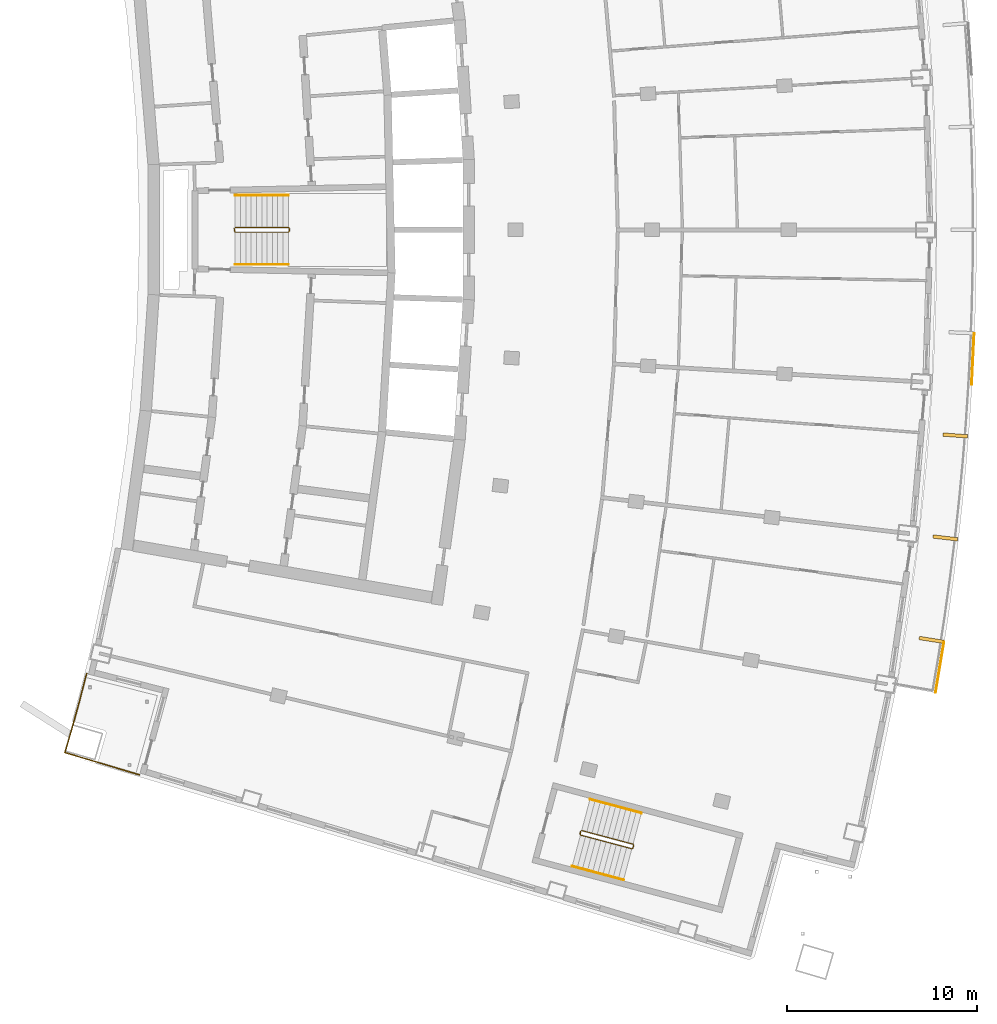
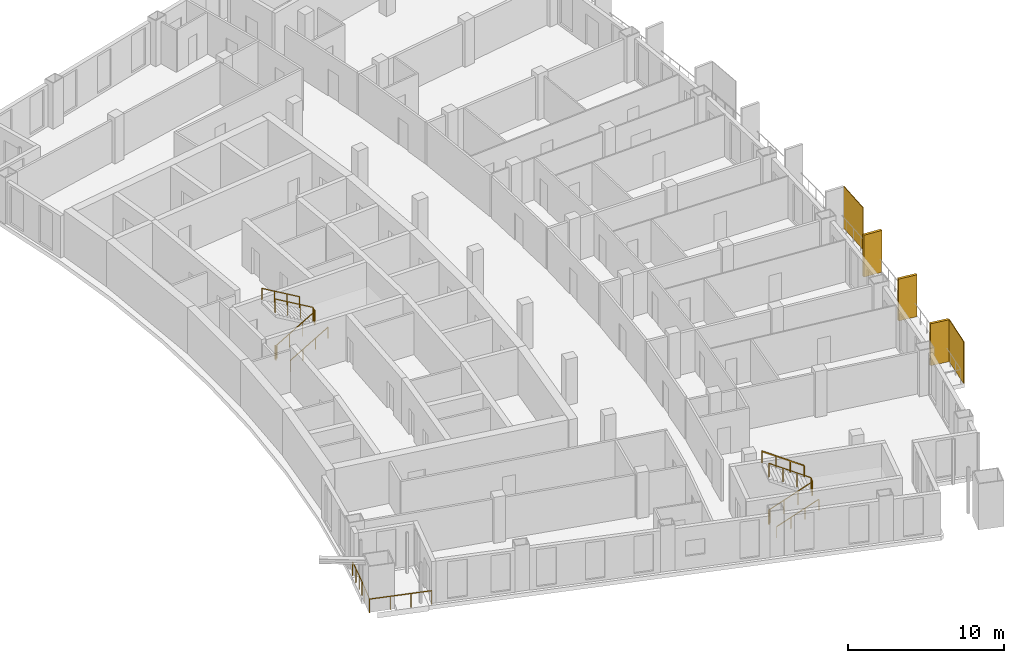
# One storey, part 16 of 18: 7 railings, 5 shading devices.
"""IFC4 building model written with IfcOpenShell, lengths in metres."""

from ifc_helpers import new_model, si_unit, direction, frame, origin, origin_with_axes, origin_2d, place, context, subcontext, project, spatial, rectangle, extrude, material, layer, layer_set, type_object, element, save


model = new_model("IFC4")

# Units and contexts
model_context = context("Model", 3, precision=1e-05, world=origin(), true_north=direction((0.0, 1.0)))
body_context = subcontext(model_context, "Body", "Model", "MODEL_VIEW")
ifc_project = project(units=[si_unit("LENGTHUNIT", "METRE"), si_unit("AREAUNIT", "SQUARE_METRE"), si_unit("VOLUMEUNIT", "CUBIC_METRE"), si_unit("PLANEANGLEUNIT", "RADIAN"), si_unit("MASSUNIT", "GRAM", prefix="KILO")], contexts=[model_context])

# Site, building, storey
site_placement = place(None, origin())
site = spatial("IfcSite", under=ifc_project, at=site_placement, CompositionType="ELEMENT")
building_placement = place(site_placement, origin())
building = spatial("IfcBuilding", under=site, at=building_placement, Name="Alderwake Tower", CompositionType="ELEMENT")
storey_placement = place(building_placement, frame((0.0, 0.0, 225.199951171875)))
storey = spatial("IfcBuildingStorey", under=building, at=storey_placement, Name="L56", CompositionType="ELEMENT", Elevation=225.199951171875)

# Railing
ifc_material_1 = material(Name="Stainless steel 316 rail and posts", Category="steel")
railing_type_1 = type_object("IfcRailingType", Name="Balcony guard 1100", PredefinedType="GUARDRAIL", material=ifc_material_1)
railing_1_placement = place(storey_placement, frame((13.210693359375, 37.612548828125, 0.0)))
element("IfcRailing", 1, at=railing_1_placement, inside=storey, type_object=railing_type_1, Name="Guard terrace RS", PredefinedType="GUARDRAIL", context=body_context, shape_type="SweptSolid", body=[
    extrude(rectangle(XDim=0.048095703125, YDim=0.048095703125, at=origin_2d()), frame((0.0, 0.0, 1.076171875), z_axis=(-0.251385381433, -0.967887075026, 0.0), x_axis=(0.967887075026, -0.251385381433, 0.0)), (0.0, 0.0, 1.0), 1.6015625),
    extrude(rectangle(XDim=0.048095703125, YDim=0.048095703125, at=origin_2d()), frame((-0.402587890625, -1.550048828125, 1.076171875), z_axis=(-0.266520638672, -0.963829211615, 0.0), x_axis=(0.963829211615, -0.266520638672, 0.0)), (0.0, 0.0, 1.0), 1.401611328125),
    extrude(rectangle(XDim=0.048095703125, YDim=0.048095703125, at=origin_2d()), frame((-0.776123046875, -2.90087890625, 1.076171875), z_axis=(-0.280093650878, -0.959972680204, 0.0), x_axis=(0.959972680204, -0.280093650878, 0.0)), (0.0, 0.0, 1.0), 1.30126953125),
    extrude(rectangle(XDim=0.048095703125, YDim=0.048095703125, at=origin_2d()), frame((-1.140625, -4.150146484375, 1.076171875), z_axis=(0.958066871889, -0.286544706789, 0.0), x_axis=(0.286544706789, 0.958066871889, 0.0)), (0.0, 0.0, 1.0), 4.099853515625),
    extrude(rectangle(XDim=0.0419921875, YDim=0.0419921875, at=origin_2d()), frame((0.0, 0.0, 0.0), z_axis=(0.0, 0.0, 1.0), x_axis=(-0.251385381433, -0.967887075026, 0.0)), (0.0, 0.0, 1.0), 1.052001953125),
    extrude(rectangle(XDim=0.0419921875, YDim=0.0419921875, at=origin_2d()), frame((-0.201171875, -0.77490234375, 0.0), z_axis=(0.0, 0.0, 1.0), x_axis=(-0.251385381433, -0.967887075026, 0.0)), (0.0, 0.0, 1.0), 1.052001953125),
    extrude(rectangle(XDim=0.0419921875, YDim=0.0419921875, at=origin_2d()), frame((-0.402587890625, -1.550048828125, 0.0), z_axis=(0.0, 0.0, 1.0), x_axis=(-0.266520638672, -0.963829211615, 0.0)), (0.0, 0.0, 1.0), 1.052001953125),
    extrude(rectangle(XDim=0.0419921875, YDim=0.0419921875, at=origin_2d()), frame((-0.58935546875, -2.2255859375, 0.0), z_axis=(0.0, 0.0, 1.0), x_axis=(-0.266520638672, -0.963829211615, 0.0)), (0.0, 0.0, 1.0), 1.052001953125),
    extrude(rectangle(XDim=0.0419921875, YDim=0.0419921875, at=origin_2d()), frame((-0.776123046875, -2.90087890625, 0.0), z_axis=(0.0, 0.0, 1.0), x_axis=(-0.280093650878, -0.959972680204, 0.0)), (0.0, 0.0, 1.0), 1.052001953125),
    extrude(rectangle(XDim=0.0419921875, YDim=0.0419921875, at=origin_2d()), frame((-1.140625, -4.150146484375, 0.0), z_axis=(0.0, 0.0, 1.0), x_axis=(0.958066871889, -0.286544706789, 0.0)), (0.0, 0.0, 1.0), 1.052001953125),
    extrude(rectangle(XDim=0.0419921875, YDim=0.0419921875, at=origin_2d()), frame((0.168701171875, -4.541748046875, 0.0), z_axis=(0.0, 0.0, 1.0), x_axis=(0.958066871889, -0.286544706789, 0.0)), (0.0, 0.0, 1.0), 1.052001953125),
    extrude(rectangle(XDim=0.0419921875, YDim=0.0419921875, at=origin_2d()), frame((1.47802734375, -4.933349609375, 0.0), z_axis=(0.0, 0.0, 1.0), x_axis=(0.958066871889, -0.286544706789, 0.0)), (0.0, 0.0, 1.0), 1.052001953125),
    extrude(rectangle(XDim=0.0419921875, YDim=0.0419921875, at=origin_2d()), frame((2.787353515625, -5.324951171875, 0.0), z_axis=(0.0, 0.0, 1.0), x_axis=(0.958066871889, -0.286544706789, 0.0)), (0.0, 0.0, 1.0), 1.052001953125),
])

# Shading devices
ifc_material_2 = material(Name="Bronze anodised aluminium", Category="aluminium")
ifc_layer_1 = layer(ifc_material_2, 0.179931640625)
ifc_layer_set_1 = layer_set([ifc_layer_1], Name="Facade fin 1300")
shading_device_type_1 = type_object("IfcShadingDeviceType", Name="Facade fin 1300", PredefinedType="USERDEFINED", material=ifc_layer_set_1)
for number, where, z_axis, x_axis, name in (
    (2, (57.7158203125, 39.396728515625, 0.0), (0.0, 0.0, 1.0), (0.987918787879, -0.154972476771, 0.0), "Fin"),
    (3, (58.451904296875, 44.768798828125, 0.0), (0.0, 0.0, 1.0), (0.993198315083, -0.116434990084, 0.0), "Fin"),
    (4, (58.978271484375, 50.16552734375, 0.0), (0.0, 0.0, 1.0), (0.996975122026, -0.077721335943, 0.0), "Fin"),
):
    element("IfcShadingDevice", number, at=place(storey_placement, frame(where, z_axis=z_axis, x_axis=x_axis)), inside=storey, type_object=shading_device_type_1, Name=name, ObjectType="FIN", PredefinedType="USERDEFINED", context=body_context, shape_type="SweptSolid", body=[
        extrude(rectangle(XDim=1.300048828125, YDim=0.179931640625, at=origin_2d()), origin(), (0.0, 0.0, 1.0), 3.280029296875),
    ])
ifc_material_3 = material(Name="Perforated bronze anodised aluminium", Category="aluminium")
ifc_layer_2 = layer(ifc_material_3, 0.050048828125)
ifc_layer_set_2 = layer_set([ifc_layer_2], Name="Perforated screen panel")
shading_device_type_2 = type_object("IfcShadingDeviceType", Name="Perforated screen panel", PredefinedType="USERDEFINED", material=ifc_layer_set_2)
for number, where, z_axis, x_axis, name in (
    (5, (58.1591796875, 37.951904296875, 0.0), (0.0, 0.0, 1.0), (0.986369013299, -0.164548380739, 0.0), "Screen panel"),
    (6, (59.903076171875, 54.1953125, 0.0), (0.0, 0.0, 1.0), (0.998819231138, -0.048581308217, 0.0), "Screen panel"),
):
    element("IfcShadingDevice", number, at=place(storey_placement, frame(where, z_axis=z_axis, x_axis=x_axis)), inside=storey, type_object=shading_device_type_2, Name=name, ObjectType="SCREEN", PredefinedType="USERDEFINED", context=body_context, shape_type="SweptSolid", body=[
        extrude(rectangle(XDim=0.050048828125, YDim=2.71728515625, at=origin_2d()), origin(), (0.0, 0.0, 1.0), 3.280029296875),
    ])

# Railings
ifc_material_4 = material(Name="Stainless steel guard", Category="steel")
railing_type_2 = type_object("IfcRailingType", Name="Stair guard 1100", PredefinedType="GUARDRAIL", material=ifc_material_4)
railing_2_placement = place(storey_placement, frame((20.989990234375, 60.925048828125, 0.0)))
element("IfcRailing", 7, at=railing_2_placement, inside=storey, type_object=railing_type_2, Name="L56 ST-B stair guard 1", PredefinedType="GUARDRAIL", context=body_context, shape_type="SweptSolid", body=[
    extrude(rectangle(XDim=0.048095703125, YDim=0.048095703125, at=origin_2d()), frame((0.0, 0.0, 1.076171875), z_axis=(0.0, 1.0, 0.0), x_axis=(-1.0, 0.0, 0.0)), (0.0, 0.0, 1.0), 0.14990234375),
    extrude(rectangle(XDim=0.048095703125, YDim=0.048095703125, at=origin_2d()), frame((0.0, 0.14990234375, 1.076171875), z_axis=(0.190199549216, -0.759870394187, 0.621627795), x_axis=(0.970072785993, 0.242814311512, 0.0)), (0.0, 0.0, 1.0), 0.26318359375),
    extrude(rectangle(XDim=0.048095703125, YDim=0.048095703125, at=origin_2d()), frame((0.050048828125, -0.050048828125, 1.23974609375), z_axis=(0.863360870873, 0.0, 0.504586966384), x_axis=(0.0, 1.0, 0.0)), (0.0, 0.0, 1.0), 3.2431640625),
    extrude(rectangle(XDim=0.048095703125, YDim=0.048095703125, at=origin_2d()), frame((2.85009765625, -0.050048828125, 2.8759765625), z_axis=(0.705375805398, 0.708833529934, 0.0), x_axis=(-0.708833529934, 0.705375805398, 0.0)), (0.0, 0.0, 1.0), 0.070556640625),
    extrude(rectangle(XDim=0.048095703125, YDim=0.048095703125, at=origin_2d()), frame((2.89990234375, 0.0, 2.8759765625), z_axis=(0.0, 1.0, 0.0), x_axis=(-1.0, 0.0, 0.0)), (0.0, 0.0, 1.0), 0.14990234375),
    extrude(rectangle(XDim=0.048095703125, YDim=0.048095703125, at=origin_2d()), frame((2.89990234375, 0.14990234375, 2.8759765625), z_axis=(-0.279546231943, 0.280916556609, 0.91811752648), x_axis=(-0.708833529934, -0.705375805398, 0.0)), (0.0, 0.0, 1.0), 0.17822265625),
    extrude(rectangle(XDim=0.048095703125, YDim=0.048095703125, at=origin_2d()), frame((2.85009765625, 0.199951171875, 3.03955078125), z_axis=(-0.863360870873, 0.0, 0.504586966384), x_axis=(0.0, -1.0, 0.0)), (0.0, 0.0, 1.0), 3.2431640625),
    extrude(rectangle(XDim=0.0419921875, YDim=0.0419921875, at=origin_2d()), frame((0.0, 0.0, 0.0), z_axis=(0.0, 0.0, 1.0), x_axis=(0.0, 1.0, 0.0)), (0.0, 0.0, 1.0), 1.052001953125),
    extrude(rectangle(XDim=0.0419921875, YDim=0.0419921875, at=origin_2d()), frame((0.0, 0.14990234375, 0.0), z_axis=(0.0, 0.0, 1.0), x_axis=(0.242814311512, -0.970072785993, 0.0)), (0.0, 0.0, 1.0), 1.052001953125),
    extrude(rectangle(XDim=0.0419921875, YDim=0.0419921875, at=origin_2d()), frame((0.050048828125, -0.050048828125, 0.16357421875), z_axis=(0.0, 0.0, 1.0), x_axis=(1.0, 0.0, 0.0)), (0.0, 0.0, 1.0), 1.052001953125),
    extrude(rectangle(XDim=0.0419921875, YDim=0.0419921875, at=origin_2d()), frame((0.9833984375, -0.050048828125, 0.708984375), z_axis=(0.0, 0.0, 1.0), x_axis=(1.0, 0.0, 0.0)), (0.0, 0.0, 1.0), 1.052001953125),
    extrude(rectangle(XDim=0.0419921875, YDim=0.0419921875, at=origin_2d()), frame((1.916748046875, -0.050048828125, 1.254638671875), z_axis=(0.0, 0.0, 1.0), x_axis=(1.0, 0.0, 0.0)), (0.0, 0.0, 1.0), 1.052001953125),
    extrude(rectangle(XDim=0.0419921875, YDim=0.0419921875, at=origin_2d()), frame((2.85009765625, -0.050048828125, 1.800048828125), z_axis=(0.0, 0.0, 1.0), x_axis=(0.705375805398, 0.708833529934, 0.0)), (0.0, 0.0, 1.0), 1.052001953125),
    extrude(rectangle(XDim=0.0419921875, YDim=0.0419921875, at=origin_2d()), frame((2.89990234375, 0.0, 1.800048828125), z_axis=(0.0, 0.0, 1.0), x_axis=(0.0, 1.0, 0.0)), (0.0, 0.0, 1.0), 1.052001953125),
    extrude(rectangle(XDim=0.0419921875, YDim=0.0419921875, at=origin_2d()), frame((2.89990234375, 0.14990234375, 1.800048828125), z_axis=(0.0, 0.0, 1.0), x_axis=(-0.705375805398, 0.708833529934, 0.0)), (0.0, 0.0, 1.0), 1.052001953125),
    extrude(rectangle(XDim=0.0419921875, YDim=0.0419921875, at=origin_2d()), frame((2.85009765625, 0.199951171875, 1.963623046875), z_axis=(0.0, 0.0, 1.0), x_axis=(-1.0, 0.0, 0.0)), (0.0, 0.0, 1.0), 1.052001953125),
    extrude(rectangle(XDim=0.0419921875, YDim=0.0419921875, at=origin_2d()), frame((1.916748046875, 0.199951171875, 2.509033203125), z_axis=(0.0, 0.0, 1.0), x_axis=(-1.0, 0.0, 0.0)), (0.0, 0.0, 1.0), 1.052001953125),
    extrude(rectangle(XDim=0.0419921875, YDim=0.0419921875, at=origin_2d()), frame((0.9833984375, 0.199951171875, 3.0546875), z_axis=(0.0, 0.0, 1.0), x_axis=(-1.0, 0.0, 0.0)), (0.0, 0.0, 1.0), 1.052001953125),
    extrude(rectangle(XDim=0.0419921875, YDim=0.0419921875, at=origin_2d()), frame((0.050048828125, 0.199951171875, 3.60009765625), z_axis=(0.0, 0.0, 1.0), x_axis=(-1.0, 0.0, 0.0)), (0.0, 0.0, 1.0), 1.052001953125),
])
railing_3_placement = place(storey_placement, frame((39.1943359375, 29.17431640625, 0.0)))
element("IfcRailing", 8, at=railing_3_placement, inside=storey, type_object=railing_type_2, Name="L56 ST-C stair guard 1", PredefinedType="GUARDRAIL", context=body_context, shape_type="SweptSolid", body=[
    extrude(rectangle(XDim=0.048095703125, YDim=0.048095703125, at=origin_2d()), frame((0.0, 0.0, 1.076171875), z_axis=(0.257459803502, 0.966289009345, 0.0), x_axis=(-0.966289009345, 0.257459803502, 0.0)), (0.0, 0.0, 1.0), 0.14990234375),
    extrude(rectangle(XDim=0.048095703125, YDim=0.048095703125, at=origin_2d()), frame((0.03857421875, 0.144775390625, 1.076171875), z_axis=(-0.012062893862, -0.783160186125, 0.621702991355), x_axis=(0.999881397308, -0.015401016783, 0.0)), (0.0, 0.0, 1.0), 0.26318359375),
    extrude(rectangle(XDim=0.048095703125, YDim=0.048095703125, at=origin_2d()), frame((0.035400390625, -0.061279296875, 1.23974609375), z_axis=(0.834281824786, -0.222214197128, 0.504573768072), x_axis=(0.257380452725, 0.966310148221, 0.0)), (0.0, 0.0, 1.0), 3.2431640625),
    extrude(rectangle(XDim=0.048095703125, YDim=0.048095703125, at=origin_2d()), frame((2.7412109375, -0.781982421875, 2.8759765625), z_axis=(0.865031189262, 0.501718089772, 0.0), x_axis=(-0.501718089772, 0.865031189262, 0.0)), (0.0, 0.0, 1.0), 0.070556640625),
    extrude(rectangle(XDim=0.048095703125, YDim=0.048095703125, at=origin_2d()), frame((2.80224609375, -0.74658203125, 2.8759765625), z_axis=(0.257055032184, 0.966396766566, 0.0), x_axis=(-0.966396766566, 0.257055032184, 0.0)), (0.0, 0.0, 1.0), 0.150146484375),
    extrude(rectangle(XDim=0.048095703125, YDim=0.048095703125, at=origin_2d()), frame((2.8408203125, -0.6015625, 2.8759765625), z_axis=(-0.198625291617, 0.343827228937, 0.91778583023), x_axis=(-0.865898279276, -0.500220121494, 0.0)), (0.0, 0.0, 1.0), 0.17822265625),
    extrude(rectangle(XDim=0.048095703125, YDim=0.048095703125, at=origin_2d()), frame((2.805419921875, -0.540283203125, 3.03955078125), z_axis=(-0.834258940753, 0.22222815314, 0.504605457487), x_axis=(-0.257402139082, -0.966304371715, 0.0)), (0.0, 0.0, 1.0), 3.2431640625),
    extrude(rectangle(XDim=0.0419921875, YDim=0.0419921875, at=origin_2d()), frame((0.0, 0.0, 0.0), z_axis=(0.0, 0.0, 1.0), x_axis=(0.257459803502, 0.966289009345, 0.0)), (0.0, 0.0, 1.0), 1.052001953125),
    extrude(rectangle(XDim=0.0419921875, YDim=0.0419921875, at=origin_2d()), frame((0.03857421875, 0.144775390625, 0.0), z_axis=(0.0, 0.0, 1.0), x_axis=(-0.015401016783, -0.999881397308, 0.0)), (0.0, 0.0, 1.0), 1.052001953125),
    extrude(rectangle(XDim=0.0419921875, YDim=0.0419921875, at=origin_2d()), frame((0.035400390625, -0.061279296875, 0.16357421875), z_axis=(0.0, 0.0, 1.0), x_axis=(0.966310148221, -0.257380452725, 0.0)), (0.0, 0.0, 1.0), 1.052001953125),
    extrude(rectangle(XDim=0.0419921875, YDim=0.0419921875, at=origin_2d()), frame((0.937255859375, -0.301513671875, 0.708984375), z_axis=(0.0, 0.0, 1.0), x_axis=(0.966310148221, -0.257380452725, 0.0)), (0.0, 0.0, 1.0), 1.052001953125),
    extrude(rectangle(XDim=0.0419921875, YDim=0.0419921875, at=origin_2d()), frame((1.83935546875, -0.541748046875, 1.254638671875), z_axis=(0.0, 0.0, 1.0), x_axis=(0.966310148221, -0.257380452725, 0.0)), (0.0, 0.0, 1.0), 1.052001953125),
    extrude(rectangle(XDim=0.0419921875, YDim=0.0419921875, at=origin_2d()), frame((2.7412109375, -0.781982421875, 1.800048828125), z_axis=(0.0, 0.0, 1.0), x_axis=(0.865031189262, 0.501718089772, 0.0)), (0.0, 0.0, 1.0), 1.052001953125),
    extrude(rectangle(XDim=0.0419921875, YDim=0.0419921875, at=origin_2d()), frame((2.80224609375, -0.74658203125, 1.800048828125), z_axis=(0.0, 0.0, 1.0), x_axis=(0.257055032184, 0.966396766566, 0.0)), (0.0, 0.0, 1.0), 1.052001953125),
    extrude(rectangle(XDim=0.0419921875, YDim=0.0419921875, at=origin_2d()), frame((2.8408203125, -0.6015625, 1.800048828125), z_axis=(0.0, 0.0, 1.0), x_axis=(-0.500220121494, 0.865898279276, 0.0)), (0.0, 0.0, 1.0), 1.052001953125),
    extrude(rectangle(XDim=0.0419921875, YDim=0.0419921875, at=origin_2d()), frame((2.805419921875, -0.540283203125, 1.963623046875), z_axis=(0.0, 0.0, 1.0), x_axis=(-0.966304371715, 0.257402139082, 0.0)), (0.0, 0.0, 1.0), 1.052001953125),
    extrude(rectangle(XDim=0.0419921875, YDim=0.0419921875, at=origin_2d()), frame((1.903564453125, -0.300048828125, 2.509033203125), z_axis=(0.0, 0.0, 1.0), x_axis=(-0.966304371715, 0.257402139082, 0.0)), (0.0, 0.0, 1.0), 1.052001953125),
    extrude(rectangle(XDim=0.0419921875, YDim=0.0419921875, at=origin_2d()), frame((1.001708984375, -0.059814453125, 3.0546875), z_axis=(0.0, 0.0, 1.0), x_axis=(-0.966304371715, 0.257402139082, 0.0)), (0.0, 0.0, 1.0), 1.052001953125),
    extrude(rectangle(XDim=0.0419921875, YDim=0.0419921875, at=origin_2d()), frame((0.099853515625, 0.180419921875, 3.60009765625), z_axis=(0.0, 0.0, 1.0), x_axis=(-0.966304371715, 0.257402139082, 0.0)), (0.0, 0.0, 1.0), 1.052001953125),
])
ifc_material_5 = material(Name="Stainless steel handrail", Category="steel")
railing_type_3 = type_object("IfcRailingType", Name="Stair handrail 900", PredefinedType="HANDRAIL", material=ifc_material_5)
railing_4_placement = place(storey_placement, frame((21.0400390625, 59.175048828125, 0.16357421875)))
element("IfcRailing", 9, at=railing_4_placement, inside=storey, type_object=railing_type_3, Name="L56 ST-B stair handrail 1", PredefinedType="HANDRAIL", context=body_context, shape_type="SweptSolid", body=[
    extrude(rectangle(XDim=0.048095703125, YDim=0.048095703125, at=origin_2d()), frame((0.0, 0.0, 0.8759765625), z_axis=(0.863360870873, 0.0, 0.504586966384), x_axis=(0.0, 1.0, 0.0)), (0.0, 0.0, 1.0), 3.2431640625),
    extrude(rectangle(XDim=0.0419921875, YDim=0.0419921875, at=origin_2d()), origin_with_axes(), (0.0, 0.0, 1.0), 0.851806640625),
    extrude(rectangle(XDim=0.0419921875, YDim=0.0419921875, at=origin_2d()), frame((0.933349609375, 0.0, 0.54541015625), z_axis=(0.0, 0.0, 1.0), x_axis=(1.0, 0.0, 0.0)), (0.0, 0.0, 1.0), 0.851806640625),
    extrude(rectangle(XDim=0.0419921875, YDim=0.0419921875, at=origin_2d()), frame((1.86669921875, 0.0, 1.091064453125), z_axis=(0.0, 0.0, 1.0), x_axis=(1.0, 0.0, 0.0)), (0.0, 0.0, 1.0), 0.851806640625),
    extrude(rectangle(XDim=0.0419921875, YDim=0.0419921875, at=origin_2d()), frame((2.800048828125, 0.0, 1.636474609375), z_axis=(0.0, 0.0, 1.0), x_axis=(1.0, 0.0, 0.0)), (0.0, 0.0, 1.0), 0.851806640625),
])
railing_5_placement = place(storey_placement, frame((23.840087890625, 62.824951171875, 1.963623046875)))
element("IfcRailing", 10, at=railing_5_placement, inside=storey, type_object=railing_type_3, Name="L56 ST-B stair handrail 2", PredefinedType="HANDRAIL", context=body_context, shape_type="SweptSolid", body=[
    extrude(rectangle(XDim=0.048095703125, YDim=0.048095703125, at=origin_2d()), frame((0.0, 0.0, 0.8759765625), z_axis=(-0.863360870873, 0.0, 0.504586966384), x_axis=(0.0, -1.0, 0.0)), (0.0, 0.0, 1.0), 3.2431640625),
    extrude(rectangle(XDim=0.0419921875, YDim=0.0419921875, at=origin_2d()), frame((0.0, 0.0, 0.0), z_axis=(0.0, 0.0, 1.0), x_axis=(-1.0, 0.0, 0.0)), (0.0, 0.0, 1.0), 0.851806640625),
    extrude(rectangle(XDim=0.0419921875, YDim=0.0419921875, at=origin_2d()), frame((-0.933349609375, 0.0, 0.54541015625), z_axis=(0.0, 0.0, 1.0), x_axis=(-1.0, 0.0, 0.0)), (0.0, 0.0, 1.0), 0.851806640625),
    extrude(rectangle(XDim=0.0419921875, YDim=0.0419921875, at=origin_2d()), frame((-1.86669921875, 0.0, 1.091064453125), z_axis=(0.0, 0.0, 1.0), x_axis=(-1.0, 0.0, 0.0)), (0.0, 0.0, 1.0), 0.851806640625),
    extrude(rectangle(XDim=0.0419921875, YDim=0.0419921875, at=origin_2d()), frame((-2.800048828125, 0.0, 1.636474609375), z_axis=(0.0, 0.0, 1.0), x_axis=(-1.0, 0.0, 0.0)), (0.0, 0.0, 1.0), 0.851806640625),
])
railing_6_placement = place(storey_placement, frame((38.792236328125, 27.47021484375, 0.16357421875)))
element("IfcRailing", 11, at=railing_6_placement, inside=storey, type_object=railing_type_3, Name="L56 ST-C stair handrail 1", PredefinedType="HANDRAIL", context=body_context, shape_type="SweptSolid", body=[
    extrude(rectangle(XDim=0.048095703125, YDim=0.048095703125, at=origin_2d()), frame((0.0, 0.0, 0.8759765625), z_axis=(0.834272895437, -0.222156588561, 0.504613898043), x_axis=(0.25732071773, 0.966326056891, 0.0)), (0.0, 0.0, 1.0), 3.242919921875),
    extrude(rectangle(XDim=0.0419921875, YDim=0.0419921875, at=origin_2d()), frame((0.0, 0.0, 0.0), z_axis=(0.0, 0.0, 1.0), x_axis=(0.966326056891, -0.25732071773, 0.0)), (0.0, 0.0, 1.0), 0.851806640625),
    extrude(rectangle(XDim=0.0419921875, YDim=0.0419921875, at=origin_2d()), frame((0.90185546875, -0.240234375, 0.54541015625), z_axis=(0.0, 0.0, 1.0), x_axis=(0.966326056891, -0.25732071773, 0.0)), (0.0, 0.0, 1.0), 0.851806640625),
    extrude(rectangle(XDim=0.0419921875, YDim=0.0419921875, at=origin_2d()), frame((1.8037109375, -0.480224609375, 1.091064453125), z_axis=(0.0, 0.0, 1.0), x_axis=(0.966326056891, -0.25732071773, 0.0)), (0.0, 0.0, 1.0), 0.851806640625),
    extrude(rectangle(XDim=0.0419921875, YDim=0.0419921875, at=origin_2d()), frame((2.70556640625, -0.720458984375, 1.636474609375), z_axis=(0.0, 0.0, 1.0), x_axis=(0.966326056891, -0.25732071773, 0.0)), (0.0, 0.0, 1.0), 0.851806640625),
])
railing_7_placement = place(storey_placement, frame((42.437255859375, 30.276611328125, 1.963623046875)))
element("IfcRailing", 12, at=railing_7_placement, inside=storey, type_object=railing_type_3, Name="L56 ST-C stair handrail 2", PredefinedType="HANDRAIL", context=body_context, shape_type="SweptSolid", body=[
    extrude(rectangle(XDim=0.048095703125, YDim=0.048095703125, at=origin_2d()), frame((0.0, 0.0, 0.8759765625), z_axis=(-0.834258940753, 0.22222815314, 0.504605457487), x_axis=(-0.257402139082, -0.966304371715, 0.0)), (0.0, 0.0, 1.0), 3.2431640625),
    extrude(rectangle(XDim=0.0419921875, YDim=0.0419921875, at=origin_2d()), frame((0.0, 0.0, 0.0), z_axis=(0.0, 0.0, 1.0), x_axis=(-0.966304371715, 0.257402139082, 0.0)), (0.0, 0.0, 1.0), 0.851806640625),
    extrude(rectangle(XDim=0.0419921875, YDim=0.0419921875, at=origin_2d()), frame((-0.90185546875, 0.240234375, 0.54541015625), z_axis=(0.0, 0.0, 1.0), x_axis=(-0.966304371715, 0.257402139082, 0.0)), (0.0, 0.0, 1.0), 0.851806640625),
    extrude(rectangle(XDim=0.0419921875, YDim=0.0419921875, at=origin_2d()), frame((-1.8037109375, 0.48046875, 1.091064453125), z_axis=(0.0, 0.0, 1.0), x_axis=(-0.966304371715, 0.257402139082, 0.0)), (0.0, 0.0, 1.0), 0.851806640625),
    extrude(rectangle(XDim=0.0419921875, YDim=0.0419921875, at=origin_2d()), frame((-2.70556640625, 0.720703125, 1.636474609375), z_axis=(0.0, 0.0, 1.0), x_axis=(-0.966304371715, 0.257402139082, 0.0)), (0.0, 0.0, 1.0), 0.851806640625),
])

save(model, "model.ifc")
